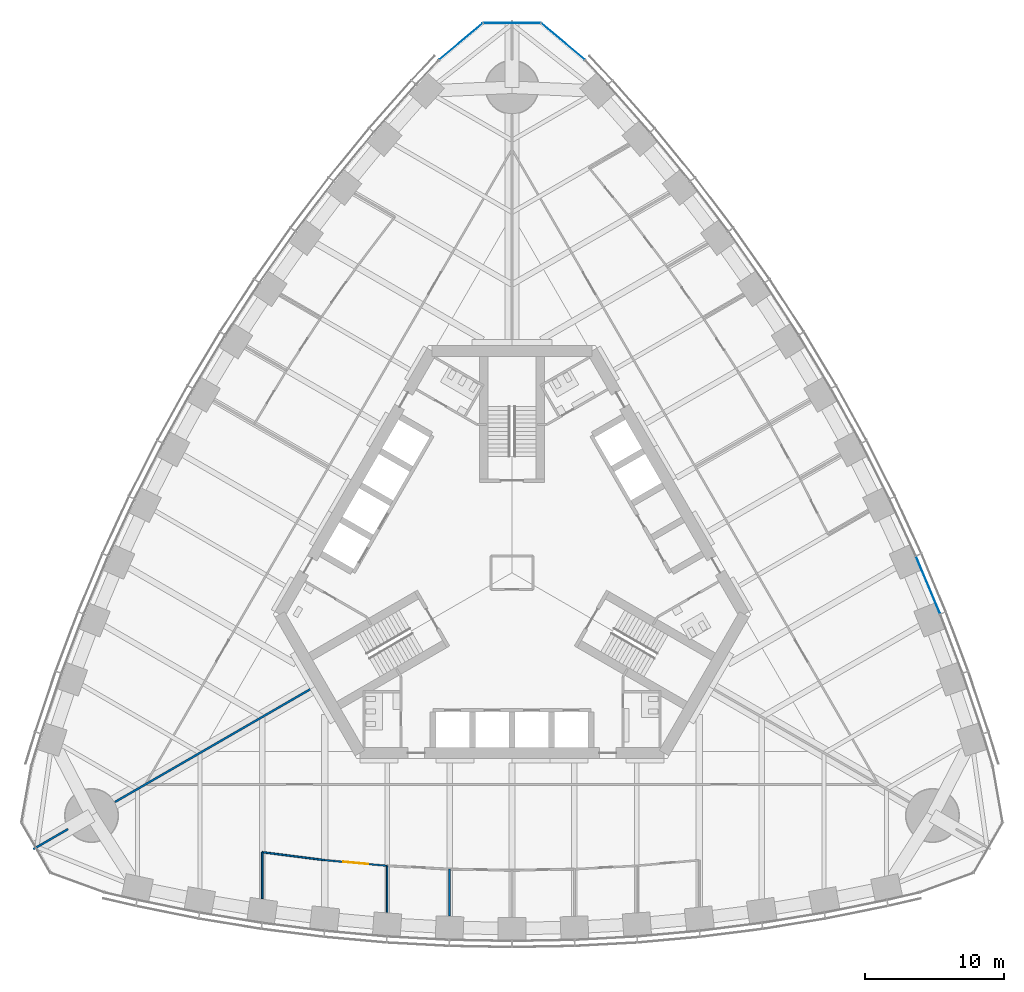
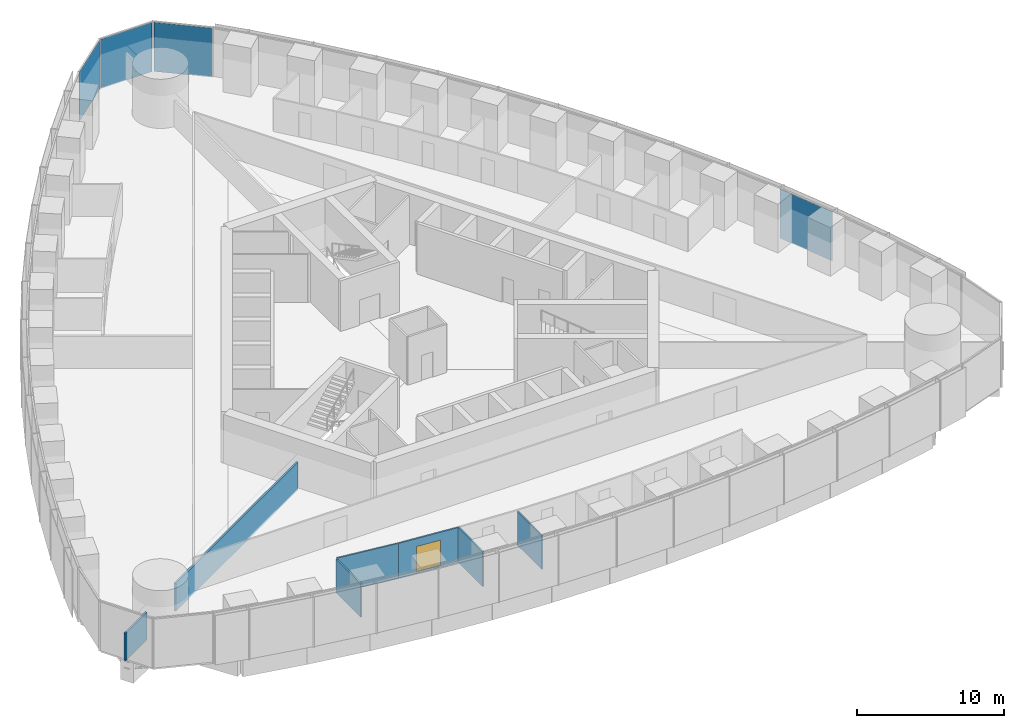
# One storey, part 10 of 19: 7 walls, 4 plates, 1 door, 1 opening, 2 elements without a shape of their own.
"""IFC4 building model written with IfcOpenShell, lengths in metres."""

import ifcopenshell
import ifcopenshell.guid

model = None  # the IFC model being written
_history = None  # IfcOwnerHistory: only IFC2X3 demands one
_inside = {}  # id of a spatial element -> (the spatial element, [elements in it])
_under = {}  # id of a project, library or spatial element -> (it, [spatial elements below it])
_declared = {}  # id of a project -> (the project, [libraries it declares])
_typed = {}  # id of a type object -> (the type object, [elements of that type])
_made_of = {}  # id of a material, layer set ... -> (it, [elements and type objects made of it])


def new_model(schema):
    """Start an empty IFC model of exactly this schema.

    Asked for "IFC4X3", IfcOpenShell would pick the latest addendum, in which some entities
    have other attributes; the version numbers below select the first issue.
    IFC2X3 requires an IfcOwnerHistory on every rooted entity: one is made here for all.
    """
    global model, _history
    if schema == "IFC4X3":
        model = ifcopenshell.file(schema_version=(4, 3, 0, 0))
    else:
        model = ifcopenshell.file(schema=schema)
    _inside.clear()
    _under.clear()
    _declared.clear()
    _typed.clear()
    _made_of.clear()
    _history = None
    if model.schema == "IFC2X3":
        org = make("IfcOrganization", Name="unknown")
        user = make(
            "IfcPersonAndOrganization",
            ThePerson=make("IfcPerson", FamilyName="unknown"),
            TheOrganization=org,
        )
        app = make(
            "IfcApplication",
            ApplicationDeveloper=org,
            Version="unknown",
            ApplicationFullName="unknown",
            ApplicationIdentifier="unknown",
        )
        _history = make(
            "IfcOwnerHistory",
            OwningUser=user,
            OwningApplication=app,
            ChangeAction="ADDED",
            CreationDate=0,
        )
    return model


def make(cls, **values):
    """One entity of the class cls with the attributes given. An attribute that is None is left unset."""
    return model.create_entity(
        cls, **{name: value for name, value in values.items() if value is not None}
    )


def rooted(cls, **values):
    """An entity with a GlobalId (a new one), such as an element, a storey or a relation."""
    return make(cls, GlobalId=ifcopenshell.guid.new(), OwnerHistory=_history, **values)


def si_unit(unit_type, name, prefix=None):
    """IfcSIUnit, for example si_unit("LENGTHUNIT", "METRE", prefix="MILLI")."""
    return make("IfcSIUnit", UnitType=unit_type, Prefix=prefix, Name=name)


def assignment(units):
    """IfcUnitAssignment: the units of a project."""
    return None if units is None else make("IfcUnitAssignment", Units=units)


def point(xyz):
    """IfcCartesianPoint."""
    return None if xyz is None else make("IfcCartesianPoint", Coordinates=xyz)


def direction(xyz):
    """IfcDirection."""
    return None if xyz is None else make("IfcDirection", DirectionRatios=xyz)


def frame(location, z_axis=None, x_axis=None):
    """IfcAxis2Placement3D, a coordinate frame: its origin and axes. An axis left out is left unset."""
    return make(
        "IfcAxis2Placement3D",
        Location=point(location),
        Axis=direction(z_axis),
        RefDirection=direction(x_axis),
    )


def frame_2d(location, x_axis=None):
    """IfcAxis2Placement2D, a coordinate frame in the plane: its origin and x axis."""
    return make(
        "IfcAxis2Placement2D", Location=point(location), RefDirection=direction(x_axis)
    )


def origin():
    """The frame at (0, 0, 0) with its axes left unset."""
    return frame((0.0, 0.0, 0.0))


def origin_2d():
    """The frame at (0, 0) in the plane with its x axis left unset."""
    return frame_2d((0.0, 0.0))


def place(relative_to, where):
    """IfcLocalPlacement: puts the frame where relative to a parent placement (None: the world)."""
    return make(
        "IfcLocalPlacement", PlacementRelTo=relative_to, RelativePlacement=where
    )


def context(
    kind, dimensions, precision=None, world=None, true_north=None, identifier=None
):
    """IfcGeometricRepresentationContext, for example the 3D "Model" context."""
    return make(
        "IfcGeometricRepresentationContext",
        ContextIdentifier=identifier,
        ContextType=kind,
        CoordinateSpaceDimension=dimensions,
        Precision=precision,
        WorldCoordinateSystem=world,
        TrueNorth=true_north,
    )


def subcontext(parent, identifier, kind, view, scale=None):
    """IfcGeometricRepresentationSubContext, for example "Body" below "Model"."""
    return make(
        "IfcGeometricRepresentationSubContext",
        ContextIdentifier=identifier,
        ContextType=kind,
        ParentContext=parent,
        TargetScale=scale,
        TargetView=view,
    )


def project(units=None, contexts=None):
    """IfcProject with its units and contexts."""
    return rooted(
        "IfcProject",
        Name="project",
        RepresentationContexts=contexts,
        UnitsInContext=assignment(units),
    )


def spatial(cls, under=None, at=None, **own):
    """A site, building, storey or space (cls), placed at a placement, below another one or the project."""
    s = rooted(cls, ObjectPlacement=at, **own)
    if under is not None:
        _under.setdefault(under.id(), (under, []))[1].append(s)
    return s


def profile(cls, at=None, kind="AREA", **sizes):
    """A parametric profile (cls). Its sizes go by their IFC names, for example OverallWidth=200.0."""
    return make(cls, ProfileType=kind, Position=at, **sizes)


def rectangle(**sizes):
    """IfcRectangleProfileDef."""
    return profile("IfcRectangleProfileDef", **sizes)


def extrude(swept, where, along, depth):
    """IfcExtrudedAreaSolid: the profile swept, set in the frame where, extruded along a direction by depth."""
    return make(
        "IfcExtrudedAreaSolid",
        SweptArea=swept,
        Position=where,
        ExtrudedDirection=direction(along),
        Depth=depth,
    )


def shape(context_of_items, identifier, shape_type, items):
    """IfcShapeRepresentation: the items that make up one representation, for example the "Body"."""
    return make(
        "IfcShapeRepresentation",
        ContextOfItems=context_of_items,
        RepresentationIdentifier=identifier,
        RepresentationType=shape_type,
        Items=items,
    )


def material(Name=None, Category=None):
    """IfcMaterial."""
    return make("IfcMaterial", Name=Name, Category=Category)


def layer(
    of_material, thickness, ventilated=None, Name=None, Category=None, Priority=None
):
    """IfcMaterialLayer: one layer of a wall or slab, of a material (None: an air gap)."""
    return make(
        "IfcMaterialLayer",
        Material=of_material,
        LayerThickness=thickness,
        IsVentilated=ventilated,
        Name=Name,
        Category=Category,
        Priority=Priority,
    )


def layer_set(layers, Name=None):
    """IfcMaterialLayerSet."""
    return make("IfcMaterialLayerSet", MaterialLayers=layers, LayerSetName=Name)


def made_of(thing, what):
    """Note that an element or type object is made of a material, layer set ...; save() writes the relation."""
    if what is not None:
        _made_of.setdefault(what.id(), (what, []))[1].append(thing)
    return thing


def type_object(cls, material=None, **own):
    """A type object (cls), such as IfcWallType, which elements share."""
    return made_of(rooted(cls, **own), material)


def element(
    cls,
    number,
    at=None,
    inside=None,
    cuts=None,
    type_object=None,
    material=None,
    context=None,
    identifier="Body",
    shape_type=None,
    held_by="IfcProductDefinitionShape",
    body=None,
    shapes=None,
    **own,
):
    """One element of the class cls, such as IfcWall. Its Tag is "e" and its number.

    at: its placement. inside: the storey or other place that contains it. cuts: it is an
    opening in that element (IfcRelVoidsElement). A single representation is given by context,
    identifier, shape_type and body (its items); several are given by shapes. held_by: the class
    of the entity that holds the representations. save() writes the other relations.
    """
    e = rooted(cls, Tag="e%d" % number, ObjectPlacement=at, **own)
    if body is not None:
        shapes = [shape(context, identifier, shape_type, body)]
    if shapes is not None:
        e.Representation = make(held_by, Representations=shapes)
    if inside is not None:
        _inside.setdefault(inside.id(), (inside, []))[1].append(e)
    if cuts is not None:
        rooted(
            "IfcRelVoidsElement", RelatingBuildingElement=cuts, RelatedOpeningElement=e
        )
    if type_object is not None:
        _typed.setdefault(type_object.id(), (type_object, []))[1].append(e)
    return made_of(e, material)


def fill(opening, filler):
    """IfcRelFillsElement: the door or window that sits in an opening."""
    return rooted(
        "IfcRelFillsElement",
        RelatingOpeningElement=opening,
        RelatedBuildingElement=filler,
    )


def aggregate(whole, parts):
    """IfcRelAggregates: a whole, such as a stair, and the parts it consists of."""
    return rooted("IfcRelAggregates", RelatingObject=whole, RelatedObjects=parts)


def save(model, path):
    """Write the relations noted so far, then the file.

    IfcRelAggregates (storeys below a building ...), IfcRelContainedInSpatialStructure (elements
    in a storey), IfcRelDefinesByType, IfcRelAssociatesMaterial and IfcRelDeclares: one each for
    every whole, place, type object, material and project.
    """
    for whole, parts in _under.values():
        aggregate(whole, parts)
    for where, things in _inside.values():
        rooted(
            "IfcRelContainedInSpatialStructure",
            RelatedElements=things,
            RelatingStructure=where,
        )
    for kind, things in _typed.values():
        rooted("IfcRelDefinesByType", RelatedObjects=things, RelatingType=kind)
    for what, things in _made_of.values():
        rooted("IfcRelAssociatesMaterial", RelatedObjects=things, RelatingMaterial=what)
    for by, libraries in _declared.values():
        rooted("IfcRelDeclares", RelatingContext=by, RelatedDefinitions=libraries)
    model.write(path)


model = new_model("IFC4")

# Units and contexts
model_context = context("Model", 3, precision=1e-05, world=origin(), true_north=direction((0.0, 1.0)))
body_context = subcontext(model_context, "Body", "Model", "MODEL_VIEW")
ifc_project = project(units=[si_unit("LENGTHUNIT", "METRE"), si_unit("AREAUNIT", "SQUARE_METRE"), si_unit("VOLUMEUNIT", "CUBIC_METRE"), si_unit("PLANEANGLEUNIT", "RADIAN"), si_unit("MASSUNIT", "GRAM", prefix="KILO")], contexts=[model_context])

# Site, building, storey
site_placement = place(None, origin())
site = spatial("IfcSite", under=ifc_project, at=site_placement, CompositionType="ELEMENT")
building_placement = place(site_placement, origin())
building = spatial("IfcBuilding", under=site, at=building_placement, Name="Trefoil Bronze Tower", CompositionType="ELEMENT")
storey_placement = place(building_placement, frame((0.0, 0.0, 166.10009765625)))
storey = spatial("IfcBuildingStorey", under=building, at=storey_placement, Name="L38", CompositionType="ELEMENT", Elevation=166.10009765625)

# Curtain wall, plate
ifc_material_1 = material(Name="Tinted solar-control glass", Category="glass")
curtain_wall_type_1 = type_object("IfcCurtainWallType", Name="Bronze office curtain wall", PredefinedType="USERDEFINED", material=ifc_material_1)
curtain_wall_1_placement = place(storey_placement, origin())
curtain_wall_1 = element("IfcCurtainWall", 1, at=curtain_wall_1_placement, inside=storey, type_object=curtain_wall_type_1, Name="CW-A L38 F2", ObjectType="CURTAIN WALL", PredefinedType="USERDEFINED")
ifc_material_2 = material(Name="Tinted solar-control glass", Category="glass")
ifc_layer_1 = layer(ifc_material_2, 0.030029296875)
ifc_layer_set_1 = layer_set([ifc_layer_1], Name="Bronze office curtain wall glass panel")
plate_type_1 = type_object("IfcPlateType", Name="Bronze office curtain wall glass panel", PredefinedType="CURTAIN_PANEL", material=ifc_layer_set_1)
plate_1_placement = place(storey_placement, frame((29.99169921875, -0.885498046875, -0.000244140625), z_axis=(0.0, 0.0, 1.0), x_axis=(-0.386759234303, 0.922180727776, 0.0)))
plate_1 = element("IfcPlate", 2, at=plate_1_placement, type_object=plate_type_1, Name="CW-A L38 F2 panel 4", PredefinedType="CURTAIN_PANEL", context=body_context, shape_type="SweptSolid", body=[
    extrude(rectangle(XDim=4.456298828125, YDim=0.030029296875, at=origin_2d()), origin(), (0.0, 0.0, 1.0), 4.080078125),
])
aggregate(curtain_wall_1, [plate_1])

# Curtain wall, plates
ifc_material_3 = material(Name="Tinted solar-control glass", Category="glass")
curtain_wall_type_2 = type_object("IfcCurtainWallType", Name="Bronze rounded corner curtain wall", PredefinedType="USERDEFINED", material=ifc_material_3)
curtain_wall_2_placement = place(storey_placement, origin())
curtain_wall_2 = element("IfcCurtainWall", 3, at=curtain_wall_2_placement, inside=storey, type_object=curtain_wall_type_2, Name="CW-B L38 K2", ObjectType="CURTAIN WALL", PredefinedType="USERDEFINED")
ifc_material_4 = material(Name="Tinted solar-control glass", Category="glass")
ifc_layer_2 = layer(ifc_material_4, 0.030029296875)
ifc_layer_set_2 = layer_set([ifc_layer_2], Name="Bronze rounded corner curtain wall glass panel")
plate_type_2 = type_object("IfcPlateType", Name="Bronze rounded corner curtain wall glass panel", PredefinedType="CURTAIN_PANEL", material=ifc_layer_set_2)
plate_2_placement = place(storey_placement, frame((3.6884765625, 38.294921875, -0.000244140625), z_axis=(0.0, 0.0, 1.0), x_axis=(-0.766044443119, 0.642787609687, 0.0)))
plate_2 = element("IfcPlate", 4, at=plate_2_placement, type_object=plate_type_2, Name="CW-B L38 K2 panel 1", PredefinedType="CURTAIN_PANEL", context=body_context, shape_type="SweptSolid", body=[
    extrude(rectangle(XDim=4.044189453125, YDim=0.030029296875, at=origin_2d()), origin(), (0.0, 0.0, 1.0), 4.080078125),
])
plate_3_placement = place(storey_placement, frame((0.0, 39.637451171875, -0.000244140625), z_axis=(0.0, 0.0, 1.0), x_axis=(-1.0, 0.0, 0.0)))
plate_3 = element("IfcPlate", 5, at=plate_3_placement, type_object=plate_type_2, Name="CW-B L38 K2 panel 2", PredefinedType="CURTAIN_PANEL", context=body_context, shape_type="SweptSolid", body=[
    extrude(rectangle(XDim=4.044189453125, YDim=0.030029296875, at=origin_2d()), origin(), (0.0, 0.0, 1.0), 4.080078125),
])
plate_4_placement = place(storey_placement, frame((-3.6884765625, 38.294921875, -0.000244140625), z_axis=(0.0, 0.0, 1.0), x_axis=(-0.766044443119, -0.642787609687, 0.0)))
plate_4 = element("IfcPlate", 6, at=plate_4_placement, type_object=plate_type_2, Name="CW-B L38 K2 panel 3", PredefinedType="CURTAIN_PANEL", context=body_context, shape_type="SweptSolid", body=[
    extrude(rectangle(XDim=4.044189453125, YDim=0.030029296875, at=origin_2d()), origin(), (0.0, 0.0, 1.0), 4.080078125),
])
aggregate(curtain_wall_2, [plate_2, plate_3, plate_4])

# Wall, opening, door
ifc_material_5 = material(Name="Glazed partition", Category="glass")
ifc_layer_3 = layer(ifc_material_5, 0.1201171875)
ifc_layer_set_3 = layer_set([ifc_layer_3], Name="Glazed partition 120")
wall_type_1 = type_object("IfcWallType", Name="Glazed partition 120", PredefinedType="PARTITIONING", material=ifc_layer_set_3)
wall_1_placement = place(storey_placement, frame((-13.5, -20.7177734375, 0.0), z_axis=(0.0, 0.0, 1.0), x_axis=(0.995930325215, -0.090126507295, 0.0)))
wall_1 = element("IfcWall", 7, at=wall_1_placement, inside=storey, type_object=wall_type_1, Name="Partition F1 L38", PredefinedType="PARTITIONING", context=body_context, shape_type="SweptSolid", body=[
    extrude(rectangle(XDim=4.518310546875, YDim=0.1201171875, at=frame_2d((2.25927734375, 0.0))), origin(), (0.0, 0.0, 1.0), 2.89990234375),
])
opening_placement = place(wall_1_placement, frame((1.35009765625, 0.0, 0.14990234375)))
opening = element("IfcOpeningElement", 8, at=opening_placement, cuts=wall_1, Name="Opening D10", PredefinedType="OPENING", context=body_context, shape_type="SweptSolid", body=[
    extrude(rectangle(XDim=1.800048828125, YDim=2.10009765625, at=frame_2d((0.89990234375, 1.050048828125))), frame((0.0, 0.070068359375, 0.0), z_axis=(0.0, -1.0, 0.0), x_axis=(1.0, 0.0, 0.0)), (0.0, 0.0, 1.0), 0.14013671875),
])
ifc_material_6 = material(Name="Timber door", Category="wood")
door_type = type_object("IfcDoorType", Name="Double door 1800", OperationType="DOUBLE_DOOR_SINGLE_SWING", PredefinedType="DOOR", material=ifc_material_6)
door_placement = place(opening_placement, frame((1.800048828125, 0.0, 0.0), z_axis=(0.0, 0.0, 1.0), x_axis=(-1.0, 0.0, 0.0)))
door = element("IfcDoor", 9, at=door_placement, inside=storey, type_object=door_type, Name="Kitchen and breakout door F1 L38", OperationType="DOUBLE_DOOR_SINGLE_SWING", OverallHeight=2.10009765625, OverallWidth=1.800048828125, PredefinedType="DOOR", context=body_context, shape_type="SweptSolid", body=[
    extrude(rectangle(XDim=1.800048828125, YDim=2.10009765625, at=frame_2d((0.89990234375, 1.050048828125))), frame((0.0, 0.02490234375, 0.0), z_axis=(0.0, -1.0, 0.0), x_axis=(1.0, 0.0, 0.0)), (0.0, 0.0, 1.0), 0.050048828125),
])
fill(opening, door)

# Walls
wall_2_placement = place(storey_placement, frame((-18.0, -20.1455078125, 0.0), z_axis=(0.0, 0.0, 1.0), x_axis=(0.992010652594, -0.12615413247, 0.0)))
element("IfcWall", 10, at=wall_2_placement, inside=storey, type_object=wall_type_1, Name="Partition F1 L38", PredefinedType="PARTITIONING", context=body_context, shape_type="SweptSolid", body=[
    extrude(rectangle(XDim=4.5361328125, YDim=0.1201171875, at=frame_2d((2.26806640625, 0.0))), origin(), (0.0, 0.0, 1.0), 2.89990234375),
])
wall_3_placement = place(storey_placement, frame((-18.0, -20.1455078125, 0.0), z_axis=(0.0, 0.0, 1.0), x_axis=(0.0, -1.0, 0.0)))
element("IfcWall", 11, at=wall_3_placement, inside=storey, type_object=wall_type_1, Name="Partition F1 L38", PredefinedType="PARTITIONING", context=body_context, shape_type="SweptSolid", body=[
    extrude(rectangle(XDim=3.35302734375, YDim=0.1201171875, at=frame_2d((1.676513671875, 0.0))), origin(), (0.0, 0.0, 1.0), 2.7998046875),
])
wall_4_placement = place(storey_placement, frame((-4.5, -21.36865234375, 0.0), z_axis=(0.0, 0.0, 1.0), x_axis=(0.0, -1.0, 0.0)))
element("IfcWall", 12, at=wall_4_placement, inside=storey, type_object=wall_type_1, Name="Partition F1 L38", PredefinedType="PARTITIONING", context=body_context, shape_type="SweptSolid", body=[
    extrude(rectangle(XDim=3.368896484375, YDim=0.1201171875, at=frame_2d((1.6845703125, 0.0))), origin(), (0.0, 0.0, 1.0), 2.7998046875),
])
wall_5_placement = place(storey_placement, frame((-9.0, -21.125, 0.0), z_axis=(0.0, 0.0, 1.0), x_axis=(0.0, -1.0, 0.0)))
element("IfcWall", 13, at=wall_5_placement, inside=storey, type_object=wall_type_1, Name="Partition F1 L38", PredefinedType="PARTITIONING", context=body_context, shape_type="SweptSolid", body=[
    extrude(rectangle(XDim=3.36572265625, YDim=0.1201171875, at=frame_2d((1.682861328125, 0.0))), origin(), (0.0, 0.0, 1.0), 2.89990234375),
])
ifc_material_7 = material(Name="Gypsum board on steel studs", Category="steel")
ifc_layer_4 = layer(ifc_material_7, 0.14990234375)
ifc_layer_set_4 = layer_set([ifc_layer_4], Name="Party wall 150")
wall_type_2 = type_object("IfcWallType", Name="Party wall 150", PredefinedType="PARTITIONING", material=ifc_layer_set_4)
wall_6_placement = place(storey_placement, frame((-14.202880859375, -8.199951171875, 0.0), z_axis=(0.0, 0.0, 1.0), x_axis=(-0.866024668836, -0.500001272966, 0.0)))
element("IfcWall", 14, at=wall_6_placement, inside=storey, type_object=wall_type_2, Name="Party wall K3 L38", PredefinedType="PARTITIONING", context=body_context, shape_type="SweptSolid", body=[
    extrude(rectangle(XDim=16.64990234375, YDim=0.14990234375, at=frame_2d((8.324951171875, 0.0))), origin(), (0.0, 0.0, 1.0), 2.2998046875),
])
wall_7_placement = place(storey_placement, frame((-31.999755859375, -18.47509765625, 0.0), z_axis=(0.0, 0.0, 1.0), x_axis=(-0.866042548026, -0.499970304126, 0.0)))
element("IfcWall", 15, at=wall_7_placement, inside=storey, type_object=wall_type_2, Name="Party wall K3 L38", PredefinedType="PARTITIONING", context=body_context, shape_type="SweptSolid", body=[
    extrude(rectangle(XDim=2.899169921875, YDim=0.14990234375, at=frame_2d((1.44970703125, 0.0))), origin(), (0.0, 0.0, 1.0), 2.2998046875),
])

save(model, "model.ifc")
